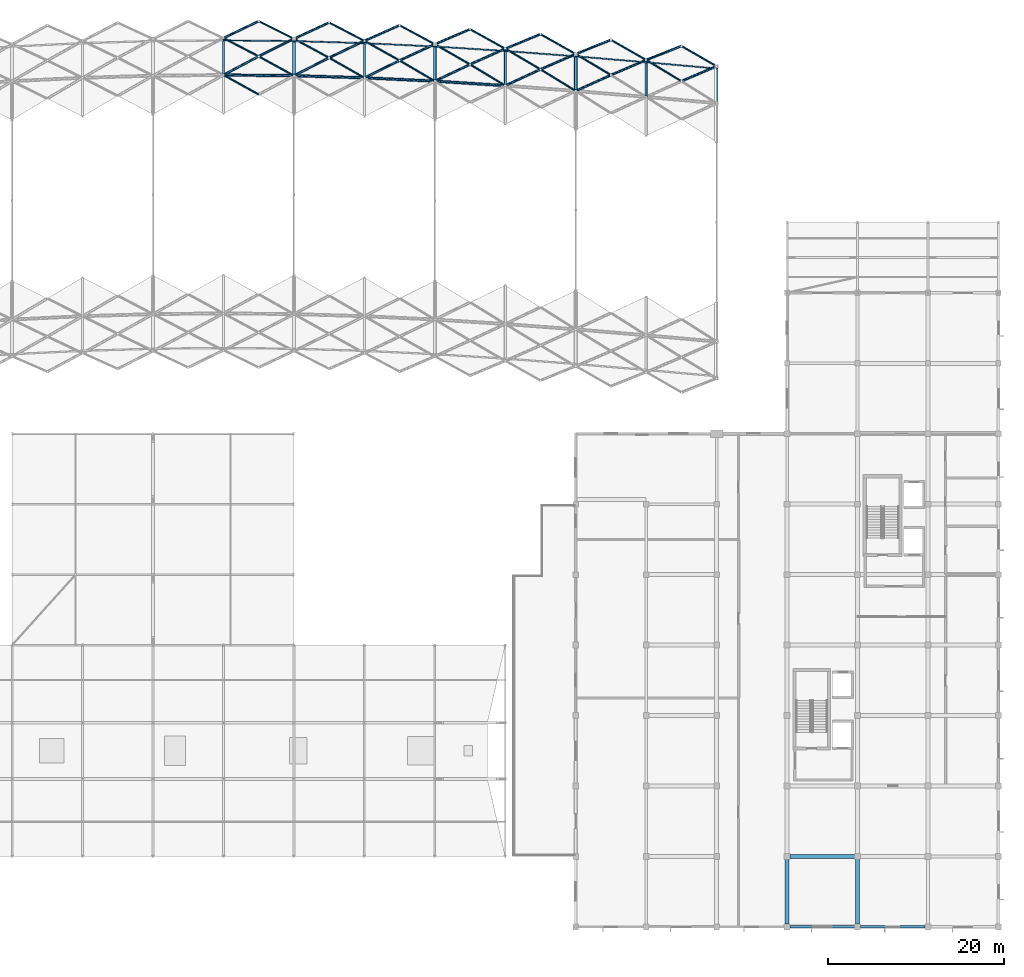
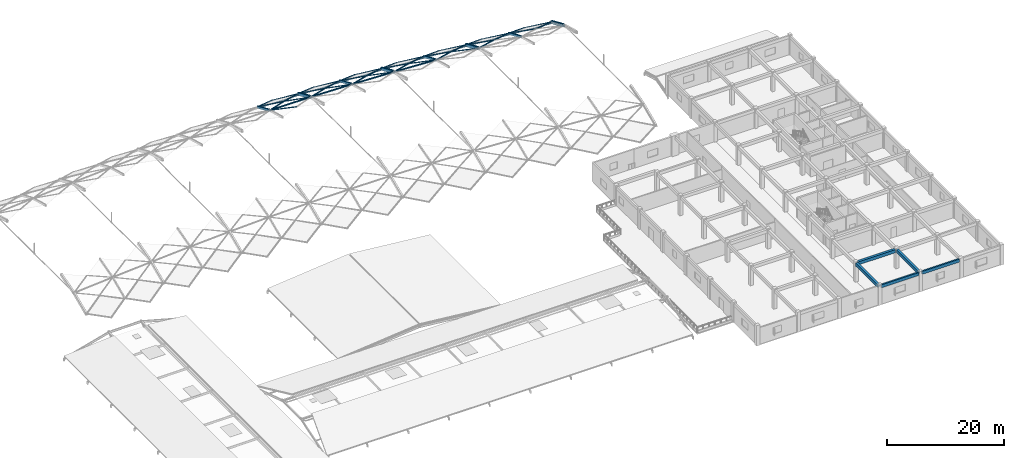
# One storey, part 16 of 54: 51 members, 13 beams.
"""IFC4 building model written with IfcOpenShell, lengths in metres."""

from ifc_helpers import new_model, si_unit, direction, frame, origin, origin_2d, place, context, subcontext, project, spatial, rectangle, hollow_rectangle, hollow_circle, extrude, material, material_profile, profile_set, type_object, element, save


model = new_model("IFC4")

# Units and contexts
model_context = context("Model", 3, precision=1e-05, world=origin(), true_north=direction((0.0, 1.0)))
body_context = subcontext(model_context, "Body", "Model", "MODEL_VIEW")
ifc_project = project(units=[si_unit("LENGTHUNIT", "METRE"), si_unit("AREAUNIT", "SQUARE_METRE"), si_unit("VOLUMEUNIT", "CUBIC_METRE"), si_unit("PLANEANGLEUNIT", "RADIAN"), si_unit("MASSUNIT", "GRAM", prefix="KILO")], contexts=[model_context])

# Site, building, storey
site_placement = place(None, origin())
site = spatial("IfcSite", under=ifc_project, at=site_placement, CompositionType="ELEMENT")
building_placement = place(site_placement, origin())
building = spatial("IfcBuilding", under=site, at=building_placement, Name="Kenh Van Central Station", CompositionType="ELEMENT")
storey_placement = place(building_placement, frame((0.0, 0.0, 15.0)))
storey = spatial("IfcBuildingStorey", under=building, at=storey_placement, Name="L03", CompositionType="ELEMENT", Elevation=15.0)

# Beams
ifc_material_1 = material(Name="Concrete C35/45", Category="concrete")
ifc_material_profile_1 = material_profile(ifc_material_1, rectangle(XDim=0.449951171875, YDim=0.64990234375, at=origin_2d()), Name="RC 450x650")
ifc_profile_set_1 = profile_set([ifc_material_profile_1], Name="Concrete C35/45")
beam_type_1 = type_object("IfcBeamType", Name="BM-RC-450x650", PredefinedType="BEAM", material=ifc_profile_set_1)
for number, where, z_axis, x_axis, name in (
    (1, (152.31494140625, 16.0, 3.635009765625), (1.0, 0.0, 0.0), (0.0, 1.0, 0.0), "L03 beam 1110"),
    (2, (152.0, 8.31494140625, 3.659912109375), (0.0, 1.0, 0.0), (-1.0, 0.0, 0.0), "L03 beam 1159"),
    (3, (160.0, 8.31494140625, 3.659912109375), (0.0, 1.0, 0.0), (-1.0, 0.0, 0.0), "L03 beam 1168"),
):
    element("IfcBeam", number, at=place(storey_placement, frame(where, z_axis=z_axis, x_axis=x_axis)), inside=storey, type_object=beam_type_1, Name=name, PredefinedType="BEAM", context=body_context, shape_type="SweptSolid", body=[
        extrude(rectangle(XDim=0.449951171875, YDim=0.64990234375, at=origin_2d()), origin(), (0.0, 0.0, 1.0), 7.3701171875),
    ])
ifc_material_2 = material(Name="White fluoropolymer structural steel S355", Category="steel")
ifc_material_profile_2 = material_profile(ifc_material_2, hollow_rectangle(XDim=0.35009765625, YDim=0.60009765625, WallThickness=0.01611328125, InnerFilletRadius=0.01611328125, OuterFilletRadius=0.031982421875, at=origin_2d()), Name="RHS 600x350x16")
ifc_profile_set_2 = profile_set([ifc_material_profile_2], Name="White fluoropolymer structural steel S355")
beam_type_2 = type_object("IfcBeamType", Name="BM-VAULT-ARCH600", PredefinedType="BEAM", material=ifc_profile_set_2)
for number, where, z_axis, x_axis, name in (
    (4, (96.0, 104.654052734375, 4.069091796875), (0.0, 0.91578030048, -0.401679525559), (-1.0, 0.0, 0.0), "Vault transverse arch 103"),
    (5, (112.0, 104.0361328125, 4.069091796875), (0.0, 0.91578030048, -0.401679525559), (-1.0, 0.0, 0.0), "Vault transverse arch 127"),
    (6, (128.0, 102.922607421875, 4.069091796875), (0.0, 0.91578030048, -0.401679525559), (-1.0, 0.0, 0.0), "Vault transverse arch 151"),
    (7, (144.0, 101.5341796875, 4.069091796875), (0.0, 0.91578030048, -0.401679525559), (-1.0, 0.0, 0.0), "Vault transverse arch 175"),
):
    element("IfcBeam", number, at=place(storey_placement, frame(where, z_axis=z_axis, x_axis=x_axis)), inside=storey, type_object=beam_type_2, Name=name, PredefinedType="BEAM", context=body_context, shape_type="SweptSolid", body=[
        extrude(hollow_rectangle(XDim=0.35009765625, YDim=0.60009765625, WallThickness=0.01611328125, InnerFilletRadius=0.01611328125, OuterFilletRadius=0.031982421875, at=origin_2d()), origin(), (0.0, 0.0, 1.0), 4.582275390625),
    ])
ifc_material_profile_3 = material_profile(ifc_material_2, hollow_rectangle(XDim=0.25, YDim=0.449951171875, WallThickness=0.012451171875, InnerFilletRadius=0.012451171875, OuterFilletRadius=0.02490234375, at=origin_2d()), Name="RHS 450x250x12.5")
ifc_profile_set_3 = profile_set([ifc_material_profile_3], Name="White fluoropolymer structural steel S355")
beam_type_3 = type_object("IfcBeamType", Name="BM-VAULT-SUB450", PredefinedType="BEAM", material=ifc_profile_set_3)
for number, where, z_axis, x_axis, name in (
    (8, (88.0, 104.734375, 4.069091796875), (0.0, 0.91578030048, -0.401679525559), (-1.0, 0.0, 0.0), "Vault transverse arch 091"),
    (9, (104.0, 104.41748046875, 4.069091796875), (0.0, 0.91578030048, -0.401679525559), (-1.0, 0.0, 0.0), "Vault transverse arch 115"),
    (10, (120.0, 103.529541015625, 4.069091796875), (0.0, 0.91578030048, -0.401679525559), (-1.0, 0.0, 0.0), "Vault transverse arch 139"),
    (11, (136.0, 102.246337890625, 4.069091796875), (0.0, 0.91578030048, -0.401679525559), (-1.0, 0.0, 0.0), "Vault transverse arch 163"),
):
    element("IfcBeam", number, at=place(storey_placement, frame(where, z_axis=z_axis, x_axis=x_axis)), inside=storey, type_object=beam_type_3, Name=name, PredefinedType="BEAM", context=body_context, shape_type="SweptSolid", body=[
        extrude(hollow_rectangle(XDim=0.25, YDim=0.449951171875, WallThickness=0.012451171875, InnerFilletRadius=0.012451171875, OuterFilletRadius=0.02490234375, at=origin_2d()), origin(), (0.0, 0.0, 1.0), 4.582275390625),
    ])

# Members
ifc_material_profile_4 = material_profile(ifc_material_2, hollow_rectangle(XDim=0.10009765625, YDim=0.199951171875, WallThickness=0.008056640625, InnerFilletRadius=0.008056640625, OuterFilletRadius=0.01611328125, at=origin_2d()), Name="RHS 200x100x8")
ifc_profile_set_4 = profile_set([ifc_material_profile_4], Name="White fluoropolymer structural steel S355")
member_type_1 = type_object("IfcMemberType", Name="MEM-PUR-RHS200", PredefinedType="PURLIN", material=ifc_profile_set_4)
member_1_placement = place(storey_placement, frame((88.0, 108.667236328125, 2.13330078125), z_axis=(0.99994990606, -0.010009264196, 0.0), x_axis=(0.010009264196, 0.99994990606, 0.0)))
element("IfcMember", 12, at=member_1_placement, inside=storey, type_object=member_type_1, Name="Vault longitudinal purlin 050", PredefinedType="PURLIN", context=body_context, shape_type="SweptSolid", body=[
    extrude(hollow_rectangle(XDim=0.10009765625, YDim=0.199951171875, WallThickness=0.008056640625, InnerFilletRadius=0.008056640625, OuterFilletRadius=0.01611328125, at=origin_2d()), origin(), (0.0, 0.0, 1.0), 8.00048828125),
])
member_2_placement = place(storey_placement, frame((96.0, 108.587158203125, 2.13330078125), z_axis=(0.999562147036, -0.029589089436, 0.0), x_axis=(0.029589089436, 0.999562147036, 0.0)))
element("IfcMember", 13, at=member_2_placement, inside=storey, type_object=member_type_1, Name="Vault longitudinal purlin 051", PredefinedType="PURLIN", context=body_context, shape_type="SweptSolid", body=[
    extrude(hollow_rectangle(XDim=0.10009765625, YDim=0.199951171875, WallThickness=0.008056640625, InnerFilletRadius=0.008056640625, OuterFilletRadius=0.01611328125, at=origin_2d()), origin(), (0.0, 0.0, 1.0), 8.00341796875),
])
member_3_placement = place(storey_placement, frame((104.0, 108.350341796875, 2.13330078125), z_axis=(0.998867240988, -0.047583977148, 0.0), x_axis=(0.047583977148, 0.998867240988, 0.0)))
element("IfcMember", 14, at=member_3_placement, inside=storey, type_object=member_type_1, Name="Vault longitudinal purlin 052", PredefinedType="PURLIN", context=body_context, shape_type="SweptSolid", body=[
    extrude(hollow_rectangle(XDim=0.10009765625, YDim=0.199951171875, WallThickness=0.008056640625, InnerFilletRadius=0.008056640625, OuterFilletRadius=0.01611328125, at=origin_2d()), origin(), (0.0, 0.0, 1.0), 8.009033203125),
])
member_4_placement = place(storey_placement, frame((112.0, 107.96923828125, 2.13330078125), z_axis=(0.997999125469, -0.063227727798, 0.0), x_axis=(0.063227727798, 0.997999125469, 0.0)))
element("IfcMember", 15, at=member_4_placement, inside=storey, type_object=member_type_1, Name="Vault longitudinal purlin 053", PredefinedType="PURLIN", context=body_context, shape_type="SweptSolid", body=[
    extrude(hollow_rectangle(XDim=0.10009765625, YDim=0.199951171875, WallThickness=0.008056640625, InnerFilletRadius=0.008056640625, OuterFilletRadius=0.01611328125, at=origin_2d()), origin(), (0.0, 0.0, 1.0), 8.01611328125),
])
member_5_placement = place(storey_placement, frame((120.0, 107.46240234375, 2.13330078125), z_axis=(0.997136780926, -0.075619046039, 0.0), x_axis=(0.075619046039, 0.997136780926, 0.0)))
element("IfcMember", 16, at=member_5_placement, inside=storey, type_object=member_type_1, Name="Vault longitudinal purlin 054", PredefinedType="PURLIN", context=body_context, shape_type="SweptSolid", body=[
    extrude(hollow_rectangle(XDim=0.10009765625, YDim=0.199951171875, WallThickness=0.008056640625, InnerFilletRadius=0.008056640625, OuterFilletRadius=0.01611328125, at=origin_2d()), origin(), (0.0, 0.0, 1.0), 8.02294921875),
])
member_6_placement = place(storey_placement, frame((128.0, 106.855712890625, 2.13330078125), z_axis=(0.996446063383, -0.084233264025, 0.0), x_axis=(0.084233264025, 0.996446063383, 0.0)))
element("IfcMember", 17, at=member_6_placement, inside=storey, type_object=member_type_1, Name="Vault longitudinal purlin 055", PredefinedType="PURLIN", context=body_context, shape_type="SweptSolid", body=[
    extrude(hollow_rectangle(XDim=0.10009765625, YDim=0.199951171875, WallThickness=0.008056640625, InnerFilletRadius=0.008056640625, OuterFilletRadius=0.01611328125, at=origin_2d()), origin(), (0.0, 0.0, 1.0), 8.028564453125),
])
member_7_placement = place(storey_placement, frame((136.0, 106.179443359375, 2.13330078125), z_axis=(0.99606113461, -0.088669138478, 0.0), x_axis=(0.088669138478, 0.99606113461, 0.0)))
element("IfcMember", 18, at=member_7_placement, inside=storey, type_object=member_type_1, Name="Vault longitudinal purlin 056", PredefinedType="PURLIN", context=body_context, shape_type="SweptSolid", body=[
    extrude(hollow_rectangle(XDim=0.10009765625, YDim=0.199951171875, WallThickness=0.008056640625, InnerFilletRadius=0.008056640625, OuterFilletRadius=0.01611328125, at=origin_2d()), origin(), (0.0, 0.0, 1.0), 8.03173828125),
])
ifc_material_profile_5 = material_profile(ifc_material_2, hollow_circle(Radius=0.109619140625, WallThickness=0.008056640625, at=origin_2d()), Name="CHS 219.1x8")
ifc_profile_set_5 = profile_set([ifc_material_profile_5], Name="White fluoropolymer structural steel S355")
member_type_2 = type_object("IfcMemberType", Name="MEM-VAULT-BRC219", PredefinedType="BRACE", material=ifc_profile_set_5)
member_8_placement = place(storey_placement, frame((88.0, 104.734375, 4.069091796875), z_axis=(0.865726345615, -0.47862239005, 0.146418927228), x_axis=(0.483836857844, 0.875158211406, 0.0)))
element("IfcMember", 19, at=member_8_placement, inside=storey, type_object=member_type_2, Name="Vault diamond grid member 0341", PredefinedType="BRACE", context=body_context, shape_type="SweptSolid", body=[
    extrude(hollow_circle(Radius=0.109619140625, WallThickness=0.008056640625, at=origin_2d()), origin(), (0.0, 0.0, 1.0), 4.620361328125),
])
member_9_placement = place(storey_placement, frame((88.0, 108.9306640625, 2.228515625), z_axis=(0.865852451249, -0.450154490951, 0.2183127732), x_axis=(0.461281121319, 0.887254037531, 0.0)))
element("IfcMember", 20, at=member_9_placement, inside=storey, type_object=member_type_2, Name="Vault diamond grid member 0343", PredefinedType="BRACE", context=body_context, shape_type="SweptSolid", body=[
    extrude(hollow_circle(Radius=0.109619140625, WallThickness=0.008056640625, at=origin_2d()), origin(), (0.0, 0.0, 1.0), 4.61962890625),
])
member_10_placement = place(storey_placement, frame((92.0, 106.85107421875, 3.237060546875), z_axis=(0.862277667373, -0.473610640179, 0.179360491358), x_axis=(0.481417587819, 0.876491361132, 0.0)))
element("IfcMember", 21, at=member_10_placement, inside=storey, type_object=member_type_2, Name="Vault diamond grid member 0364", PredefinedType="BRACE", context=body_context, shape_type="SweptSolid", body=[
    extrude(hollow_circle(Radius=0.109619140625, WallThickness=0.008056640625, at=origin_2d()), origin(), (0.0, 0.0, 1.0), 4.638916015625),
])
member_11_placement = place(storey_placement, frame((92.0, 110.855712890625, 1.015625), z_axis=(0.862810343047, -0.432563730334, 0.261623644059), x_axis=(0.448173631869, 0.893946528433, 0.0)))
element("IfcMember", 22, at=member_11_placement, inside=storey, type_object=member_type_2, Name="Vault diamond grid member 0366", PredefinedType="BRACE", context=body_context, shape_type="SweptSolid", body=[
    extrude(hollow_circle(Radius=0.109619140625, WallThickness=0.008056640625, at=origin_2d()), origin(), (0.0, 0.0, 1.0), 4.635986328125),
])
member_12_placement = place(storey_placement, frame((96.0, 108.850341796875, 2.228515625), z_axis=(0.859130794591, -0.463649565782, 0.216618000028), x_axis=(0.474925998402, 0.880025736011, 0.0)))
element("IfcMember", 23, at=member_12_placement, inside=storey, type_object=member_type_2, Name="Vault diamond grid member 0389", PredefinedType="BRACE", context=body_context, shape_type="SweptSolid", body=[
    extrude(hollow_circle(Radius=0.109619140625, WallThickness=0.008056640625, at=origin_2d()), origin(), (0.0, 0.0, 1.0), 4.65576171875),
])
member_13_placement = place(storey_placement, frame((100.0, 106.691650390625, 3.237060546875), z_axis=(0.855448643882, -0.486358893906, 0.17794000112), x_axis=(0.494246404949, 0.869321857079, 0.0)))
element("IfcMember", 24, at=member_13_placement, inside=storey, type_object=member_type_2, Name="Vault diamond grid member 0412", PredefinedType="BRACE", context=body_context, shape_type="SweptSolid", body=[
    extrude(hollow_circle(Radius=0.109619140625, WallThickness=0.008056640625, at=origin_2d()), origin(), (0.0, 0.0, 1.0), 4.676025390625),
])
member_14_placement = place(storey_placement, frame((100.0, 110.6962890625, 1.015625), z_axis=(0.856548894786, -0.445944950716, 0.259725031085), x_axis=(0.461792461528, 0.886988005824, 0.0)))
element("IfcMember", 25, at=member_14_placement, inside=storey, type_object=member_type_2, Name="Vault diamond grid member 0414", PredefinedType="BRACE", context=body_context, shape_type="SweptSolid", body=[
    extrude(hollow_circle(Radius=0.109619140625, WallThickness=0.008056640625, at=origin_2d()), origin(), (0.0, 0.0, 1.0), 4.669921875),
])
member_15_placement = place(storey_placement, frame((104.0, 108.61376953125, 2.228515625), z_axis=(0.852743744707, -0.476025042059, 0.215007593346), x_axis=(0.48742474834, 0.873164998557, 0.0)))
element("IfcMember", 26, at=member_15_placement, inside=storey, type_object=member_type_2, Name="Vault diamond grid member 0437", PredefinedType="BRACE", context=body_context, shape_type="SweptSolid", body=[
    extrude(hollow_circle(Radius=0.109619140625, WallThickness=0.008056640625, at=origin_2d()), origin(), (0.0, 0.0, 1.0), 4.690673828125),
])
member_16_placement = place(storey_placement, frame((108.0, 106.380859375, 3.237060546875), z_axis=(0.849143633231, -0.497752408054, 0.176628509647), x_axis=(0.505703283597, 0.862707475891, 0.0)))
element("IfcMember", 27, at=member_16_placement, inside=storey, type_object=member_type_2, Name="Vault diamond grid member 0460", PredefinedType="BRACE", context=body_context, shape_type="SweptSolid", body=[
    extrude(hollow_circle(Radius=0.109619140625, WallThickness=0.008056640625, at=origin_2d()), origin(), (0.0, 0.0, 1.0), 4.710693359375),
])
member_17_placement = place(storey_placement, frame((108.0, 110.385498046875, 1.015625), z_axis=(0.850739603996, -0.457926792459, 0.257963522501), x_axis=(0.473968416118, 0.880541844845, 0.0)))
element("IfcMember", 28, at=member_17_placement, inside=storey, type_object=member_type_2, Name="Vault diamond grid member 0462", PredefinedType="BRACE", context=body_context, shape_type="SweptSolid", body=[
    extrude(hollow_circle(Radius=0.109619140625, WallThickness=0.008056640625, at=origin_2d()), origin(), (0.0, 0.0, 1.0), 4.701904296875),
])
member_18_placement = place(storey_placement, frame((112.0, 108.232421875, 2.228515625), z_axis=(0.847034732538, -0.486745117605, 0.213568144538), x_axis=(0.498240436694, 0.867038907572, 0.0)))
element("IfcMember", 29, at=member_18_placement, inside=storey, type_object=member_type_2, Name="Vault diamond grid member 0485", PredefinedType="BRACE", context=body_context, shape_type="SweptSolid", body=[
    extrude(hollow_circle(Radius=0.109619140625, WallThickness=0.008056640625, at=origin_2d()), origin(), (0.0, 0.0, 1.0), 4.722412109375),
])
member_19_placement = place(storey_placement, frame((116.0, 105.933837890625, 3.237060546875), z_axis=(0.843781974882, -0.507175591347, 0.175513242822), x_axis=(0.515172579169, 0.857086468025, 0.0)))
element("IfcMember", 30, at=member_19_placement, inside=storey, type_object=member_type_2, Name="Vault diamond grid member 0508", PredefinedType="BRACE", context=body_context, shape_type="SweptSolid", body=[
    extrude(hollow_circle(Radius=0.109619140625, WallThickness=0.008056640625, at=origin_2d()), origin(), (0.0, 0.0, 1.0), 4.740478515625),
])
member_20_placement = place(storey_placement, frame((116.0, 109.9384765625, 1.015625), z_axis=(0.845779227011, -0.467852608301, 0.256459423815), x_axis=(0.484041373046, 0.875045112654, 0.0)))
element("IfcMember", 31, at=member_20_placement, inside=storey, type_object=member_type_2, Name="Vault diamond grid member 0510", PredefinedType="BRACE", context=body_context, shape_type="SweptSolid", body=[
    extrude(hollow_circle(Radius=0.109619140625, WallThickness=0.008056640625, at=origin_2d()), origin(), (0.0, 0.0, 1.0), 4.729248046875),
])
member_21_placement = place(storey_placement, frame((120.0, 107.725830078125, 2.228515625), z_axis=(0.842351597426, -0.495313433203, 0.212387356504), x_axis=(0.506877562994, 0.862018060213, 0.0)))
element("IfcMember", 32, at=member_21_placement, inside=storey, type_object=member_type_2, Name="Vault diamond grid member 0533", PredefinedType="BRACE", context=body_context, shape_type="SweptSolid", body=[
    extrude(hollow_circle(Radius=0.109619140625, WallThickness=0.008056640625, at=origin_2d()), origin(), (0.0, 0.0, 1.0), 4.74853515625),
])
member_22_placement = place(storey_placement, frame((124.0, 105.373779296875, 3.237060546875), z_axis=(0.839541352589, -0.514465037841, 0.174631160255), x_axis=(0.522493717722, 0.852643134577, 0.0)))
element("IfcMember", 33, at=member_22_placement, inside=storey, type_object=member_type_2, Name="Vault diamond grid member 0556", PredefinedType="BRACE", context=body_context, shape_type="SweptSolid", body=[
    extrude(hollow_circle(Radius=0.109619140625, WallThickness=0.008056640625, at=origin_2d()), origin(), (0.0, 0.0, 1.0), 4.764404296875),
])
member_23_placement = place(storey_placement, frame((124.0, 109.37841796875, 1.015625), z_axis=(0.841843357569, -0.475540788227, 0.255265979029), x_axis=(0.49183484869, 0.870688510096, 0.0)))
element("IfcMember", 34, at=member_23_placement, inside=storey, type_object=member_type_2, Name="Vault diamond grid member 0558", PredefinedType="BRACE", context=body_context, shape_type="SweptSolid", body=[
    extrude(hollow_circle(Radius=0.109619140625, WallThickness=0.008056640625, at=origin_2d()), origin(), (0.0, 0.0, 1.0), 4.75146484375),
])
member_24_placement = place(storey_placement, frame((128.0, 107.118896484375, 2.228515625), z_axis=(0.838955204128, -0.501406821217, 0.211531002701), x_axis=(0.513015705799, 0.858379220161, 0.0)))
element("IfcMember", 35, at=member_24_placement, inside=storey, type_object=member_type_2, Name="Vault diamond grid member 0581", PredefinedType="BRACE", context=body_context, shape_type="SweptSolid", body=[
    extrude(hollow_circle(Radius=0.109619140625, WallThickness=0.008056640625, at=origin_2d()), origin(), (0.0, 0.0, 1.0), 4.767822265625),
])
member_25_placement = place(storey_placement, frame((132.0, 108.732666015625, 1.015625), z_axis=(0.83926664542, -0.480488350466, 0.254484661526), x_axis=(0.496846109163, 0.867838662316, 0.0)))
element("IfcMember", 36, at=member_25_placement, inside=storey, type_object=member_type_2, Name="Vault diamond grid member 0606", PredefinedType="BRACE", context=body_context, shape_type="SweptSolid", body=[
    extrude(hollow_circle(Radius=0.109619140625, WallThickness=0.008056640625, at=origin_2d()), origin(), (0.0, 0.0, 1.0), 4.76611328125),
])
member_26_placement = place(storey_placement, frame((136.0, 106.442626953125, 2.228515625), z_axis=(0.836971264543, -0.50492089714, 0.211030779653), x_axis=(0.516553994409, 0.856254618008, 0.0)))
element("IfcMember", 37, at=member_26_placement, inside=storey, type_object=member_type_2, Name="Vault diamond grid member 0629", PredefinedType="BRACE", context=body_context, shape_type="SweptSolid", body=[
    extrude(hollow_circle(Radius=0.109619140625, WallThickness=0.008056640625, at=origin_2d()), origin(), (0.0, 0.0, 1.0), 4.779052734375),
])
member_27_placement = place(storey_placement, frame((140.0, 108.0341796875, 1.015625), z_axis=(0.838108812457, -0.482690109518, 0.25413358034), x_axis=(0.499075182651, 0.866558689335, 0.0)))
element("IfcMember", 38, at=member_27_placement, inside=storey, type_object=member_type_2, Name="Vault diamond grid member 0654", PredefinedType="BRACE", context=body_context, shape_type="SweptSolid", body=[
    extrude(hollow_circle(Radius=0.109619140625, WallThickness=0.008056640625, at=origin_2d()), origin(), (0.0, 0.0, 1.0), 4.772705078125),
])
ifc_material_profile_6 = material_profile(ifc_material_2, hollow_circle(Radius=0.136474609375, WallThickness=0.010009765625, at=origin_2d()), Name="CHS 273x10")
ifc_profile_set_6 = profile_set([ifc_material_profile_6], Name="White fluoropolymer structural steel S355")
member_type_3 = type_object("IfcMemberType", Name="MEM-VAULT-CHD273", PredefinedType="CHORD", material=ifc_profile_set_6)
member_28_placement = place(storey_placement, frame((88.0, 104.734375, 4.069091796875), z_axis=(0.869304555822, 0.460014068541, -0.180822139053), x_axis=(-0.467724120501, 0.883874508684, 0.0)))
element("IfcMember", 39, at=member_28_placement, inside=storey, type_object=member_type_3, Name="Vault diamond grid member 0340", PredefinedType="CHORD", context=body_context, shape_type="SweptSolid", body=[
    extrude(hollow_circle(Radius=0.136474609375, WallThickness=0.010009765625, at=origin_2d()), origin(), (0.0, 0.0, 1.0), 4.601318359375),
])
member_29_placement = place(storey_placement, frame((88.0, 108.9306640625, 2.228515625), z_axis=(0.869217832612, 0.418321692514, -0.263566540064), x_axis=(-0.433655212759, 0.901078884697, 0.0)))
element("IfcMember", 40, at=member_29_placement, inside=storey, type_object=member_type_3, Name="Vault diamond grid member 0342", PredefinedType="CHORD", context=body_context, shape_type="SweptSolid", body=[
    extrude(hollow_circle(Radius=0.136474609375, WallThickness=0.010009765625, at=origin_2d()), origin(), (0.0, 0.0, 1.0), 4.601806640625),
])
member_30_placement = place(storey_placement, frame((92.0, 106.85107421875, 3.237060546875), z_axis=(0.872575896967, 0.436128175065, -0.220007997459), x_axis=(-0.447082561498, 0.894492696004, 0.0)))
element("IfcMember", 41, at=member_30_placement, inside=storey, type_object=member_type_3, Name="Vault diamond grid member 0363", PredefinedType="CHORD", context=body_context, shape_type="SweptSolid", body=[
    extrude(hollow_circle(Radius=0.136474609375, WallThickness=0.010009765625, at=origin_2d()), origin(), (0.0, 0.0, 1.0), 4.584228515625),
])
member_31_placement = place(storey_placement, frame((96.0, 104.654052734375, 4.069091796875), z_axis=(0.876130145246, 0.446300182631, -0.182241914978), x_axis=(-0.453901340056, 0.891051947697, 0.0)))
element("IfcMember", 42, at=member_31_placement, inside=storey, type_object=member_type_3, Name="Vault diamond grid member 0386", PredefinedType="CHORD", context=body_context, shape_type="SweptSolid", body=[
    extrude(hollow_circle(Radius=0.136474609375, WallThickness=0.010009765625, at=origin_2d()), origin(), (0.0, 0.0, 1.0), 4.5654296875),
])
member_32_placement = place(storey_placement, frame((96.0, 108.850341796875, 2.228515625), z_axis=(0.87540504385, 0.403987886752, -0.265442642691), x_axis=(-0.419019519277, 0.907977225741, 0.0)))
element("IfcMember", 43, at=member_32_placement, inside=storey, type_object=member_type_3, Name="Vault diamond grid member 0388", PredefinedType="CHORD", context=body_context, shape_type="SweptSolid", body=[
    extrude(hollow_circle(Radius=0.136474609375, WallThickness=0.010009765625, at=origin_2d()), origin(), (0.0, 0.0, 1.0), 4.5693359375),
])
member_33_placement = place(storey_placement, frame((100.0, 106.691650390625, 3.237060546875), z_axis=(0.878925504685, 0.422349883935, -0.221608963614), x_axis=(-0.43311912469, 0.901336687275, 0.0)))
element("IfcMember", 44, at=member_33_placement, inside=storey, type_object=member_type_3, Name="Vault diamond grid member 0411", PredefinedType="CHORD", context=body_context, shape_type="SweptSolid", body=[
    extrude(hollow_circle(Radius=0.136474609375, WallThickness=0.010009765625, at=origin_2d()), origin(), (0.0, 0.0, 1.0), 4.551025390625),
])
member_34_placement = place(storey_placement, frame((104.0, 104.41748046875, 4.069091796875), z_axis=(0.882438358592, 0.433140214831, -0.183554072637), x_axis=(-0.440626631106, 0.897690465561, 0.0)))
element("IfcMember", 45, at=member_34_placement, inside=storey, type_object=member_type_3, Name="Vault diamond grid member 0434", PredefinedType="CHORD", context=body_context, shape_type="SweptSolid", body=[
    extrude(hollow_circle(Radius=0.136474609375, WallThickness=0.010009765625, at=origin_2d()), origin(), (0.0, 0.0, 1.0), 4.532958984375),
])
member_35_placement = place(storey_placement, frame((104.0, 108.61376953125, 2.228515625), z_axis=(0.881088782516, 0.390262530195, -0.267166081026), x_axis=(-0.404983477314, 0.91432400335, 0.0)))
element("IfcMember", 46, at=member_35_placement, inside=storey, type_object=member_type_3, Name="Vault diamond grid member 0436", PredefinedType="CHORD", context=body_context, shape_type="SweptSolid", body=[
    extrude(hollow_circle(Radius=0.136474609375, WallThickness=0.010009765625, at=origin_2d()), origin(), (0.0, 0.0, 1.0), 4.539794921875),
])
member_36_placement = place(storey_placement, frame((108.0, 106.380859375, 3.237060546875), z_axis=(0.884630056649, 0.409486959816, -0.223047287843), x_axis=(-0.420069508038, 0.907491932976, 0.0)))
element("IfcMember", 47, at=member_36_placement, inside=storey, type_object=member_type_3, Name="Vault diamond grid member 0459", PredefinedType="CHORD", context=body_context, shape_type="SweptSolid", body=[
    extrude(hollow_circle(Radius=0.136474609375, WallThickness=0.010009765625, at=origin_2d()), origin(), (0.0, 0.0, 1.0), 4.521728515625),
])
member_37_placement = place(storey_placement, frame((112.0, 104.0361328125, 4.069091796875), z_axis=(0.887934366823, 0.42125938924, -0.184697285286), x_axis=(-0.42863383799, 0.903478296878, 0.0)))
element("IfcMember", 48, at=member_37_placement, inside=storey, type_object=member_type_3, Name="Vault diamond grid member 0482", PredefinedType="CHORD", context=body_context, shape_type="SweptSolid", body=[
    extrude(hollow_circle(Radius=0.136474609375, WallThickness=0.010009765625, at=origin_2d()), origin(), (0.0, 0.0, 1.0), 4.5048828125),
])
member_38_placement = place(storey_placement, frame((112.0, 108.232421875, 2.228515625), z_axis=(0.886011806433, 0.377896148886, -0.268658853415), x_axis=(-0.392319626136, 0.919828957442, 0.0)))
element("IfcMember", 49, at=member_38_placement, inside=storey, type_object=member_type_3, Name="Vault diamond grid member 0484", PredefinedType="CHORD", context=body_context, shape_type="SweptSolid", body=[
    extrude(hollow_circle(Radius=0.136474609375, WallThickness=0.010009765625, at=origin_2d()), origin(), (0.0, 0.0, 1.0), 4.5146484375),
])
member_39_placement = place(storey_placement, frame((116.0, 105.933837890625, 3.237060546875), z_axis=(0.889363367631, 0.398433051661, -0.224240727032), x_axis=(-0.408844781129, 0.912603936515, 0.0)))
element("IfcMember", 50, at=member_39_placement, inside=storey, type_object=member_type_3, Name="Vault diamond grid member 0507", PredefinedType="CHORD", context=body_context, shape_type="SweptSolid", body=[
    extrude(hollow_circle(Radius=0.136474609375, WallThickness=0.010009765625, at=origin_2d()), origin(), (0.0, 0.0, 1.0), 4.49755859375),
])
member_40_placement = place(storey_placement, frame((120.0, 103.529541015625, 4.069091796875), z_axis=(0.892343973016, 0.41142372877, -0.185614517825), x_axis=(-0.418699623253, 0.908124785196, 0.0)))
element("IfcMember", 51, at=member_40_placement, inside=storey, type_object=member_type_3, Name="Vault diamond grid member 0530", PredefinedType="CHORD", context=body_context, shape_type="SweptSolid", body=[
    extrude(hollow_circle(Radius=0.136474609375, WallThickness=0.010009765625, at=origin_2d()), origin(), (0.0, 0.0, 1.0), 4.482666015625),
])
member_41_placement = place(storey_placement, frame((120.0, 107.725830078125, 2.228515625), z_axis=(0.889940950612, 0.367676409588, -0.26985025895), x_axis=(-0.381841864856, 0.924227672299, 0.0)))
element("IfcMember", 52, at=member_41_placement, inside=storey, type_object=member_type_3, Name="Vault diamond grid member 0532", PredefinedType="CHORD", context=body_context, shape_type="SweptSolid", body=[
    extrude(hollow_circle(Radius=0.136474609375, WallThickness=0.010009765625, at=origin_2d()), origin(), (0.0, 0.0, 1.0), 4.49462890625),
])
member_42_placement = place(storey_placement, frame((124.0, 105.373779296875, 3.237060546875), z_axis=(0.893030759817, 0.389610831981, -0.225165409473), x_axis=(-0.399879517181, 0.916567712577, 0.0)))
element("IfcMember", 53, at=member_42_placement, inside=storey, type_object=member_type_3, Name="Vault diamond grid member 0555", PredefinedType="CHORD", context=body_context, shape_type="SweptSolid", body=[
    extrude(hollow_circle(Radius=0.136474609375, WallThickness=0.010009765625, at=origin_2d()), origin(), (0.0, 0.0, 1.0), 4.479248046875),
])
member_43_placement = place(storey_placement, frame((128.0, 102.922607421875, 4.069091796875), z_axis=(0.895486759885, 0.404237065192, -0.186268242046), x_axis=(-0.411437665721, 0.911437900916, 0.0)))
element("IfcMember", 54, at=member_43_placement, inside=storey, type_object=member_type_3, Name="Vault diamond grid member 0578", PredefinedType="CHORD", context=body_context, shape_type="SweptSolid", body=[
    extrude(hollow_circle(Radius=0.136474609375, WallThickness=0.010009765625, at=origin_2d()), origin(), (0.0, 0.0, 1.0), 4.466796875),
])
member_44_placement = place(storey_placement, frame((128.0, 107.118896484375, 2.228515625), z_axis=(0.892746931457, 0.360171949275, -0.270701095915), x_axis=(-0.374141086926, 0.927371795492, 0.0)))
element("IfcMember", 55, at=member_44_placement, inside=storey, type_object=member_type_3, Name="Vault diamond grid member 0580", PredefinedType="CHORD", context=body_context, shape_type="SweptSolid", body=[
    extrude(hollow_circle(Radius=0.136474609375, WallThickness=0.010009765625, at=origin_2d()), origin(), (0.0, 0.0, 1.0), 4.48046875),
])
member_45_placement = place(storey_placement, frame((132.0, 104.728271484375, 3.237060546875), z_axis=(0.895408704416, 0.383762202296, -0.22576497546), x_axis=(-0.393932839869, 0.91913922649, 0.0)))
element("IfcMember", 56, at=member_45_placement, inside=storey, type_object=member_type_3, Name="Vault diamond grid member 0603", PredefinedType="CHORD", context=body_context, shape_type="SweptSolid", body=[
    extrude(hollow_circle(Radius=0.136474609375, WallThickness=0.010009765625, at=origin_2d()), origin(), (0.0, 0.0, 1.0), 4.46728515625),
])
member_46_placement = place(storey_placement, frame((136.0, 106.442626953125, 2.228515625), z_axis=(0.894334547781, 0.355845148742, -0.271182497154), x_axis=(-0.369698510043, 0.929151769988, 0.0)))
element("IfcMember", 57, at=member_46_placement, inside=storey, type_object=member_type_3, Name="Vault diamond grid member 0628", PredefinedType="CHORD", context=body_context, shape_type="SweptSolid", body=[
    extrude(hollow_circle(Radius=0.136474609375, WallThickness=0.010009765625, at=origin_2d()), origin(), (0.0, 0.0, 1.0), 4.47265625),
])
member_47_placement = place(storey_placement, frame((140.0, 104.029541015625, 3.237060546875), z_axis=(0.896439310545, 0.381194621373, -0.226024828605), x_axis=(-0.391321416564, 0.920254067602, 0.0)))
element("IfcMember", 58, at=member_47_placement, inside=storey, type_object=member_type_3, Name="Vault diamond grid member 0651", PredefinedType="CHORD", context=body_context, shape_type="SweptSolid", body=[
    extrude(hollow_circle(Radius=0.136474609375, WallThickness=0.010009765625, at=origin_2d()), origin(), (0.0, 0.0, 1.0), 4.462158203125),
])
ifc_material_profile_7 = material_profile(ifc_material_2, hollow_circle(Radius=0.161865234375, WallThickness=0.010009765625, at=origin_2d()), Name="CHS 323.9x10")
ifc_profile_set_7 = profile_set([ifc_material_profile_7], Name="White fluoropolymer structural steel S355")
member_type_4 = type_object("IfcMemberType", Name="MEM-VAULT-CHD324", PredefinedType="CHORD", material=ifc_profile_set_7)
member_48_placement = place(storey_placement, frame((88.0, 104.734375, 4.069091796875), z_axis=(0.999949600167, -0.010039777175, 0.0), x_axis=(0.010039777175, 0.999949600167, 0.0)))
element("IfcMember", 59, at=member_48_placement, inside=storey, type_object=member_type_4, Name="Vault longitudinal spine chord 36", PredefinedType="CHORD", context=body_context, shape_type="SweptSolid", body=[
    extrude(hollow_circle(Radius=0.161865234375, WallThickness=0.010009765625, at=origin_2d()), origin(), (0.0, 0.0, 1.0), 8.00048828125),
])
member_49_placement = place(storey_placement, frame((96.0, 104.654052734375, 4.069091796875), z_axis=(0.999563048769, -0.029558611885, 0.0), x_axis=(0.029558611885, 0.999563048769, 0.0)))
element("IfcMember", 60, at=member_49_placement, inside=storey, type_object=member_type_4, Name="Vault longitudinal spine chord 37", PredefinedType="CHORD", context=body_context, shape_type="SweptSolid", body=[
    extrude(hollow_circle(Radius=0.161865234375, WallThickness=0.010009765625, at=origin_2d()), origin(), (0.0, 0.0, 1.0), 8.00341796875),
])
member_50_placement = place(storey_placement, frame((104.0, 104.41748046875, 4.069091796875), z_axis=(0.998865791667, -0.04761439107, 0.0), x_axis=(0.04761439107, 0.998865791667, 0.0)))
element("IfcMember", 61, at=member_50_placement, inside=storey, type_object=member_type_4, Name="Vault longitudinal spine chord 38", PredefinedType="CHORD", context=body_context, shape_type="SweptSolid", body=[
    extrude(hollow_circle(Radius=0.161865234375, WallThickness=0.010009765625, at=origin_2d()), origin(), (0.0, 0.0, 1.0), 8.009033203125),
])
member_51_placement = place(storey_placement, frame((112.0, 104.0361328125, 4.069091796875), z_axis=(0.998001046855, -0.063197392951, 0.0), x_axis=(0.063197392951, 0.998001046855, 0.0)))
element("IfcMember", 62, at=member_51_placement, inside=storey, type_object=member_type_4, Name="Vault longitudinal spine chord 39", PredefinedType="CHORD", context=body_context, shape_type="SweptSolid", body=[
    extrude(hollow_circle(Radius=0.161865234375, WallThickness=0.010009765625, at=origin_2d()), origin(), (0.0, 0.0, 1.0), 8.01611328125),
])

# Beams
ifc_material_profile_8 = material_profile(ifc_material_1, rectangle(XDim=0.300048828125, YDim=0.6201171875, at=origin_2d()), Name="RC 300x620")
ifc_profile_set_8 = profile_set([ifc_material_profile_8], Name="Concrete C35/45")
beam_type_4 = type_object("IfcBeamType", Name="SPD-RC-300x620", PredefinedType="SPANDREL", material=ifc_profile_set_8)
for number, where, z_axis, x_axis, name in (
    (63, (152.31494140625, 8.0, 3.675048828125), (1.0, 0.0, 0.0), (0.0, 1.0, 0.0), "L03 beam 1106"),
    (64, (160.31494140625, 8.0, 3.675048828125), (1.0, 0.0, 0.0), (0.0, 1.0, 0.0), "L03 beam 1107"),
):
    element("IfcBeam", number, at=place(storey_placement, frame(where, z_axis=z_axis, x_axis=x_axis)), inside=storey, type_object=beam_type_4, Name=name, PredefinedType="SPANDREL", context=body_context, shape_type="SweptSolid", body=[
        extrude(rectangle(XDim=0.300048828125, YDim=0.6201171875, at=origin_2d()), origin(), (0.0, 0.0, 1.0), 7.3701171875),
    ])

save(model, "model.ifc")
